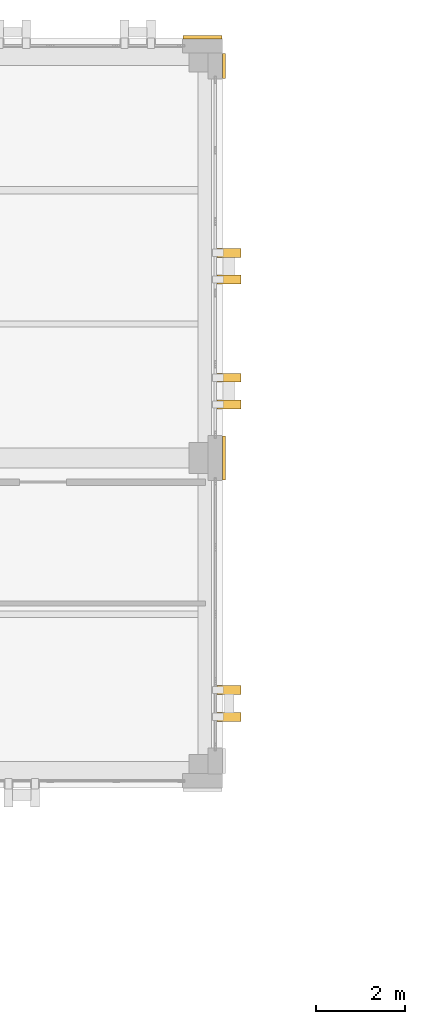
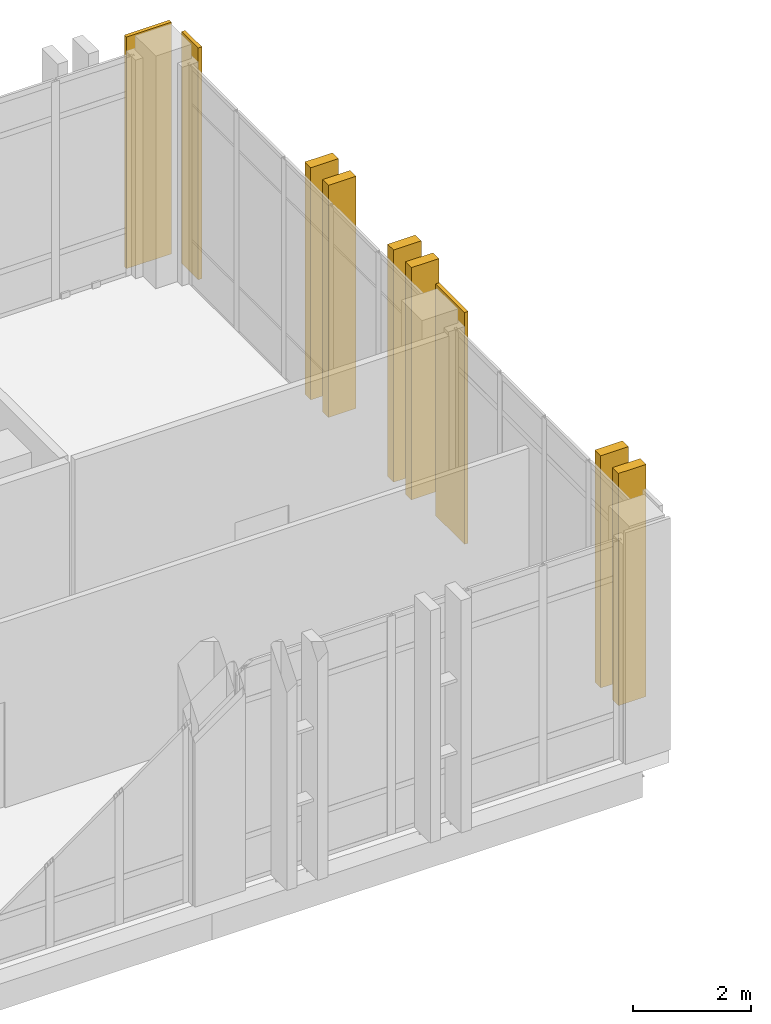
# One storey, part 183 of 189: 9 coverings.
"""IFC4 building model written with IfcOpenShell, lengths in metres."""

import ifcopenshell
import ifcopenshell.guid

model = None  # the IFC model being written
_history = None  # IfcOwnerHistory: only IFC2X3 demands one
_inside = {}  # id of a spatial element -> (the spatial element, [elements in it])
_under = {}  # id of a project, library or spatial element -> (it, [spatial elements below it])
_declared = {}  # id of a project -> (the project, [libraries it declares])
_typed = {}  # id of a type object -> (the type object, [elements of that type])
_made_of = {}  # id of a material, layer set ... -> (it, [elements and type objects made of it])


def new_model(schema):
    """Start an empty IFC model of exactly this schema.

    Asked for "IFC4X3", IfcOpenShell would pick the latest addendum, in which some entities
    have other attributes; the version numbers below select the first issue.
    IFC2X3 requires an IfcOwnerHistory on every rooted entity: one is made here for all.
    """
    global model, _history
    if schema == "IFC4X3":
        model = ifcopenshell.file(schema_version=(4, 3, 0, 0))
    else:
        model = ifcopenshell.file(schema=schema)
    _inside.clear()
    _under.clear()
    _declared.clear()
    _typed.clear()
    _made_of.clear()
    _history = None
    if model.schema == "IFC2X3":
        org = make("IfcOrganization", Name="unknown")
        user = make(
            "IfcPersonAndOrganization",
            ThePerson=make("IfcPerson", FamilyName="unknown"),
            TheOrganization=org,
        )
        app = make(
            "IfcApplication",
            ApplicationDeveloper=org,
            Version="unknown",
            ApplicationFullName="unknown",
            ApplicationIdentifier="unknown",
        )
        _history = make(
            "IfcOwnerHistory",
            OwningUser=user,
            OwningApplication=app,
            ChangeAction="ADDED",
            CreationDate=0,
        )
    return model


def make(cls, **values):
    """One entity of the class cls with the attributes given. An attribute that is None is left unset."""
    return model.create_entity(
        cls, **{name: value for name, value in values.items() if value is not None}
    )


def rooted(cls, **values):
    """An entity with a GlobalId (a new one), such as an element, a storey or a relation."""
    return make(cls, GlobalId=ifcopenshell.guid.new(), OwnerHistory=_history, **values)


def si_unit(unit_type, name, prefix=None):
    """IfcSIUnit, for example si_unit("LENGTHUNIT", "METRE", prefix="MILLI")."""
    return make("IfcSIUnit", UnitType=unit_type, Prefix=prefix, Name=name)


def assignment(units):
    """IfcUnitAssignment: the units of a project."""
    return None if units is None else make("IfcUnitAssignment", Units=units)


def point(xyz):
    """IfcCartesianPoint."""
    return None if xyz is None else make("IfcCartesianPoint", Coordinates=xyz)


def direction(xyz):
    """IfcDirection."""
    return None if xyz is None else make("IfcDirection", DirectionRatios=xyz)


def frame(location, z_axis=None, x_axis=None):
    """IfcAxis2Placement3D, a coordinate frame: its origin and axes. An axis left out is left unset."""
    return make(
        "IfcAxis2Placement3D",
        Location=point(location),
        Axis=direction(z_axis),
        RefDirection=direction(x_axis),
    )


def frame_2d(location, x_axis=None):
    """IfcAxis2Placement2D, a coordinate frame in the plane: its origin and x axis."""
    return make(
        "IfcAxis2Placement2D", Location=point(location), RefDirection=direction(x_axis)
    )


def origin():
    """The frame at (0, 0, 0) with its axes left unset."""
    return frame((0.0, 0.0, 0.0))


def origin_2d():
    """The frame at (0, 0) in the plane with its x axis left unset."""
    return frame_2d((0.0, 0.0))


def place(relative_to, where):
    """IfcLocalPlacement: puts the frame where relative to a parent placement (None: the world)."""
    return make(
        "IfcLocalPlacement", PlacementRelTo=relative_to, RelativePlacement=where
    )


def context(
    kind, dimensions, precision=None, world=None, true_north=None, identifier=None
):
    """IfcGeometricRepresentationContext, for example the 3D "Model" context."""
    return make(
        "IfcGeometricRepresentationContext",
        ContextIdentifier=identifier,
        ContextType=kind,
        CoordinateSpaceDimension=dimensions,
        Precision=precision,
        WorldCoordinateSystem=world,
        TrueNorth=true_north,
    )


def subcontext(parent, identifier, kind, view, scale=None):
    """IfcGeometricRepresentationSubContext, for example "Body" below "Model"."""
    return make(
        "IfcGeometricRepresentationSubContext",
        ContextIdentifier=identifier,
        ContextType=kind,
        ParentContext=parent,
        TargetScale=scale,
        TargetView=view,
    )


def project(units=None, contexts=None):
    """IfcProject with its units and contexts."""
    return rooted(
        "IfcProject",
        Name="project",
        RepresentationContexts=contexts,
        UnitsInContext=assignment(units),
    )


def spatial(cls, under=None, at=None, **own):
    """A site, building, storey or space (cls), placed at a placement, below another one or the project."""
    s = rooted(cls, ObjectPlacement=at, **own)
    if under is not None:
        _under.setdefault(under.id(), (under, []))[1].append(s)
    return s


def profile(cls, at=None, kind="AREA", **sizes):
    """A parametric profile (cls). Its sizes go by their IFC names, for example OverallWidth=200.0."""
    return make(cls, ProfileType=kind, Position=at, **sizes)


def rectangle(**sizes):
    """IfcRectangleProfileDef."""
    return profile("IfcRectangleProfileDef", **sizes)


def extrude(swept, where, along, depth):
    """IfcExtrudedAreaSolid: the profile swept, set in the frame where, extruded along a direction by depth."""
    return make(
        "IfcExtrudedAreaSolid",
        SweptArea=swept,
        Position=where,
        ExtrudedDirection=direction(along),
        Depth=depth,
    )


def shape(context_of_items, identifier, shape_type, items):
    """IfcShapeRepresentation: the items that make up one representation, for example the "Body"."""
    return make(
        "IfcShapeRepresentation",
        ContextOfItems=context_of_items,
        RepresentationIdentifier=identifier,
        RepresentationType=shape_type,
        Items=items,
    )


def material(Name=None, Category=None):
    """IfcMaterial."""
    return make("IfcMaterial", Name=Name, Category=Category)


def layer(
    of_material, thickness, ventilated=None, Name=None, Category=None, Priority=None
):
    """IfcMaterialLayer: one layer of a wall or slab, of a material (None: an air gap)."""
    return make(
        "IfcMaterialLayer",
        Material=of_material,
        LayerThickness=thickness,
        IsVentilated=ventilated,
        Name=Name,
        Category=Category,
        Priority=Priority,
    )


def layer_set(layers, Name=None):
    """IfcMaterialLayerSet."""
    return make("IfcMaterialLayerSet", MaterialLayers=layers, LayerSetName=Name)


def made_of(thing, what):
    """Note that an element or type object is made of a material, layer set ...; save() writes the relation."""
    if what is not None:
        _made_of.setdefault(what.id(), (what, []))[1].append(thing)
    return thing


def type_object(cls, material=None, **own):
    """A type object (cls), such as IfcWallType, which elements share."""
    return made_of(rooted(cls, **own), material)


def element(
    cls,
    number,
    at=None,
    inside=None,
    cuts=None,
    type_object=None,
    material=None,
    context=None,
    identifier="Body",
    shape_type=None,
    held_by="IfcProductDefinitionShape",
    body=None,
    shapes=None,
    **own,
):
    """One element of the class cls, such as IfcWall. Its Tag is "e" and its number.

    at: its placement. inside: the storey or other place that contains it. cuts: it is an
    opening in that element (IfcRelVoidsElement). A single representation is given by context,
    identifier, shape_type and body (its items); several are given by shapes. held_by: the class
    of the entity that holds the representations. save() writes the other relations.
    """
    e = rooted(cls, Tag="e%d" % number, ObjectPlacement=at, **own)
    if body is not None:
        shapes = [shape(context, identifier, shape_type, body)]
    if shapes is not None:
        e.Representation = make(held_by, Representations=shapes)
    if inside is not None:
        _inside.setdefault(inside.id(), (inside, []))[1].append(e)
    if cuts is not None:
        rooted(
            "IfcRelVoidsElement", RelatingBuildingElement=cuts, RelatedOpeningElement=e
        )
    if type_object is not None:
        _typed.setdefault(type_object.id(), (type_object, []))[1].append(e)
    return made_of(e, material)


def aggregate(whole, parts):
    """IfcRelAggregates: a whole, such as a stair, and the parts it consists of."""
    return rooted("IfcRelAggregates", RelatingObject=whole, RelatedObjects=parts)


def save(model, path):
    """Write the relations noted so far, then the file.

    IfcRelAggregates (storeys below a building ...), IfcRelContainedInSpatialStructure (elements
    in a storey), IfcRelDefinesByType, IfcRelAssociatesMaterial and IfcRelDeclares: one each for
    every whole, place, type object, material and project.
    """
    for whole, parts in _under.values():
        aggregate(whole, parts)
    for where, things in _inside.values():
        rooted(
            "IfcRelContainedInSpatialStructure",
            RelatedElements=things,
            RelatingStructure=where,
        )
    for kind, things in _typed.values():
        rooted("IfcRelDefinesByType", RelatedObjects=things, RelatingType=kind)
    for what, things in _made_of.values():
        rooted("IfcRelAssociatesMaterial", RelatedObjects=things, RelatingMaterial=what)
    for by, libraries in _declared.values():
        rooted("IfcRelDeclares", RelatingContext=by, RelatedDefinitions=libraries)
    model.write(path)


model = new_model("IFC4")

# Units and contexts
model_context = context("Model", 3, precision=1e-05, world=origin(), true_north=direction((0.0, 1.0)))
body_context = subcontext(model_context, "Body", "Model", "MODEL_VIEW")
ifc_project = project(units=[si_unit("LENGTHUNIT", "METRE"), si_unit("AREAUNIT", "SQUARE_METRE"), si_unit("VOLUMEUNIT", "CUBIC_METRE"), si_unit("PLANEANGLEUNIT", "RADIAN"), si_unit("MASSUNIT", "GRAM", prefix="KILO")], contexts=[model_context])

# Site, building, storey
site_placement = place(None, origin())
site = spatial("IfcSite", under=ifc_project, at=site_placement, CompositionType="ELEMENT")
building_placement = place(site_placement, origin())
building = spatial("IfcBuilding", under=site, at=building_placement, Name="Qalavern Law Courts", CompositionType="ELEMENT")
storey_placement = place(building_placement, frame((0.0, 0.0, 5.39990234375)))
storey = spatial("IfcBuildingStorey", under=building, at=storey_placement, Name="L01", CompositionType="ELEMENT", Elevation=5.39990234375)

# Coverings
ifc_material = material(Name="Precast concrete C40/50", Category="concrete")
ifc_layer_1 = layer(ifc_material, 0.199951171875)
ifc_layer_set_1 = layer_set([ifc_layer_1], Name="Precast concrete C40/50")
covering_type_1 = type_object("IfcCoveringType", Name="ENV-BLD-1", PredefinedType="CLADDING", material=ifc_layer_set_1)
for number, where, z_axis, x_axis, name in (
    (1, (66.947509765625, 97.800048828125, 0.005126953125), (0.0, 0.0, 1.0), (1.0, 0.0, 0.0), "Absheron stone facade blade 0917"),
    (2, (66.947509765625, 98.39990234375, 0.005126953125), (0.0, 0.0, 1.0), (1.0, 0.0, 0.0), "Absheron stone facade blade 0918"),
    (3, (66.947509765625, 104.800048828125, 0.005126953125), (0.0, 0.0, 1.0), (1.0, 0.0, 0.0), "Absheron stone facade blade 0919"),
    (4, (66.947509765625, 105.39990234375, 0.005126953125), (0.0, 0.0, 1.0), (1.0, 0.0, 0.0), "Absheron stone facade blade 0920"),
    (5, (66.947509765625, 107.60009765625, 0.005126953125), (0.0, 0.0, 1.0), (1.0, 0.0, 0.0), "Absheron stone facade blade 0921"),
    (6, (66.947509765625, 108.199951171875, 0.005126953125), (0.0, 0.0, 1.0), (1.0, 0.0, 0.0), "Absheron stone facade blade 0922"),
):
    element("IfcCovering", number, at=place(storey_placement, frame(where, z_axis=z_axis, x_axis=x_axis)), inside=storey, type_object=covering_type_1, Name=name, PredefinedType="CLADDING", context=body_context, shape_type="SweptSolid", body=[
        extrude(rectangle(XDim=0.5400390625, YDim=0.199951171875, at=origin_2d()), origin(), (0.0, 0.0, 1.0), 4.7900390625),
    ])
ifc_layer_2 = layer(ifc_material, 0.072021484375)
ifc_layer_set_2 = layer_set([ifc_layer_2], Name="Precast concrete C40/50")
covering_type_2 = type_object("IfcCoveringType", Name="ENV-CLD-2", PredefinedType="CLADDING", material=ifc_layer_set_2)
covering_1_placement = place(storey_placement, frame((66.8330078125, 103.60009765625, 0.01025390625), z_axis=(0.0, 0.0, 1.0), x_axis=(0.0, 1.0, 0.0)))
element("IfcCovering", 7, at=covering_1_placement, inside=storey, type_object=covering_type_2, Name="V5 Absheron limestone pier facing L01 east 2", PredefinedType="CLADDING", context=body_context, shape_type="SweptSolid", body=[
    extrude(rectangle(XDim=0.97998046875, YDim=0.072021484375, at=origin_2d()), origin(), (0.0, 0.0, 1.0), 4.780029296875),
])
covering_2_placement = place(storey_placement, frame((66.8330078125, 112.389892578125, 0.01025390625), z_axis=(0.0, 0.0, 1.0), x_axis=(0.0, 1.0, 0.0)))
element("IfcCovering", 8, at=covering_2_placement, inside=storey, type_object=covering_type_2, Name="V5 Absheron limestone pier facing L01 east 3", PredefinedType="CLADDING", context=body_context, shape_type="SweptSolid", body=[
    extrude(rectangle(XDim=0.56005859375, YDim=0.072021484375, at=origin_2d()), origin(), (0.0, 0.0, 1.0), 4.780029296875),
])
covering_3_placement = place(storey_placement, frame((66.35009765625, 113.032958984375, 0.01025390625), z_axis=(0.0, 0.0, 1.0), x_axis=(-1.0, 0.0, 0.0)))
element("IfcCovering", 9, at=covering_3_placement, inside=storey, type_object=covering_type_2, Name="V5 Absheron limestone pier facing L01 north 1", PredefinedType="CLADDING", context=body_context, shape_type="SweptSolid", body=[
    extrude(rectangle(XDim=0.8798828125, YDim=0.072021484375, at=origin_2d()), origin(), (0.0, 0.0, 1.0), 4.780029296875),
])

save(model, "model.ifc")
